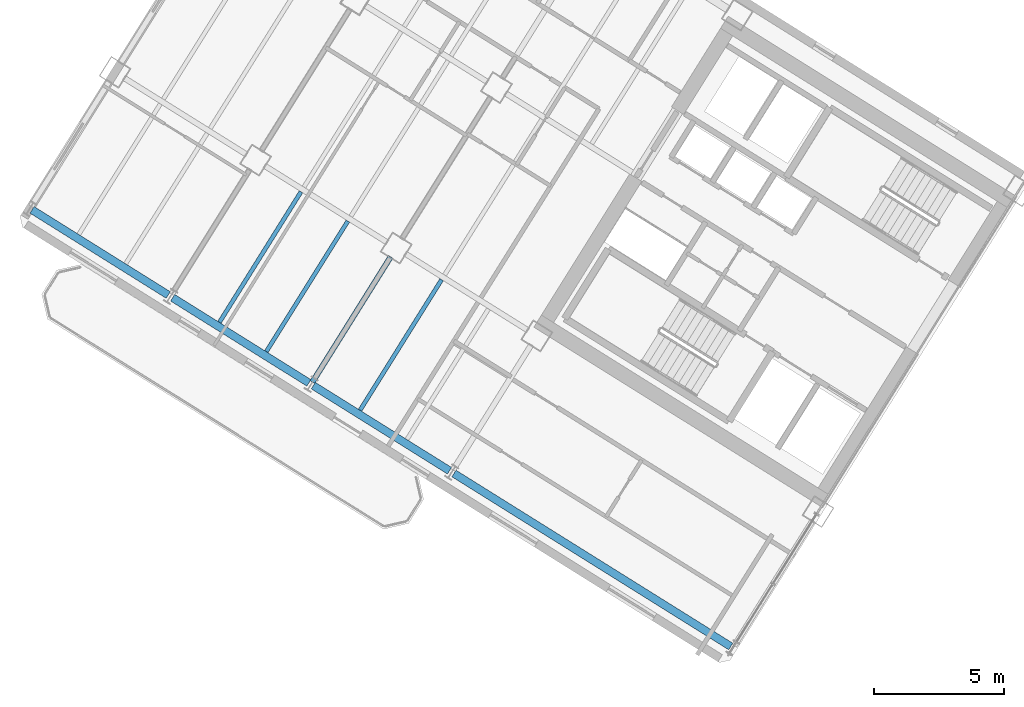
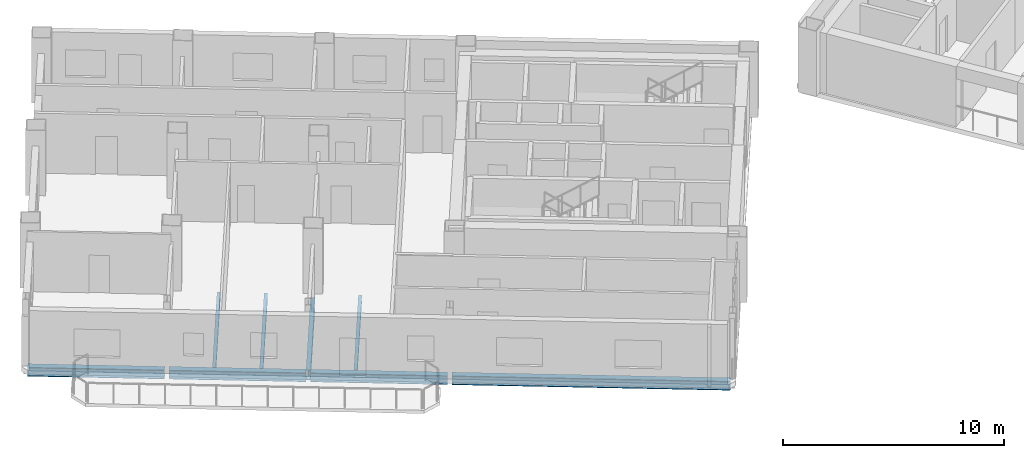
# One storey, part 5 of 18: 8 beams.
"""IFC4 building model written with IfcOpenShell, lengths in metres."""

from ifc_helpers import new_model, si_unit, direction, frame, origin, origin_2d, place, context, subcontext, project, spatial, i_section, extrude, source, transform, mapped, material, material_profile, profile_set, type_object, element, save


model = new_model("IFC4")

# Units and contexts
model_context = context("Model", 3, precision=1e-05, world=origin(), true_north=direction((0.0, 1.0)))
body_context = subcontext(model_context, "Body", "Model", "MODEL_VIEW")
ifc_project = project(units=[si_unit("LENGTHUNIT", "METRE"), si_unit("AREAUNIT", "SQUARE_METRE"), si_unit("VOLUMEUNIT", "CUBIC_METRE"), si_unit("PLANEANGLEUNIT", "RADIAN"), si_unit("MASSUNIT", "GRAM", prefix="KILO")], contexts=[model_context])

# Site, building, storey
site_placement = place(None, origin())
site = spatial("IfcSite", under=ifc_project, at=site_placement, CompositionType="ELEMENT")
building_placement = place(site_placement, origin())
building = spatial("IfcBuilding", under=site, at=building_placement, Name="Tlacorven Tower", CompositionType="ELEMENT")
storey_placement = place(building_placement, frame((0.0, 0.0, 132.60009765625)))
storey = spatial("IfcBuildingStorey", under=building, at=storey_placement, Name="L33", CompositionType="ELEMENT", Elevation=132.60009765625)

# Beams
ifc_material = material(Name="Steel S355J2", Category="steel")
ifc_material_profile_1 = material_profile(ifc_material, i_section(OverallWidth=0.300048828125, OverallDepth=0.489990234375, WebThickness=0.011962890625, FlangeThickness=0.02294921875, at=origin_2d()), Name="HEA 500")
ifc_profile_set_1 = profile_set([ifc_material_profile_1], Name="Steel S355J2")
beam_type_1 = type_object("IfcBeamType", Name="BM-SPN-500", PredefinedType="SPANDREL", material=ifc_profile_set_1)
shared_shape_1 = source(origin(), body_context, "Body", "SweptSolid", [
    extrude(i_section(OverallWidth=0.300048828125, OverallDepth=0.489990234375, WebThickness=0.011962890625, FlangeThickness=0.02294921875, at=origin_2d()), origin(), (0.0, 0.0, 1.0), 12.599853515625),
])
beam_1_placement = place(storey_placement, frame((29.67578125, 6.882080078125, -0.4951171875), z_axis=(-0.848045108756, 0.529924045043, 0.0), x_axis=(-0.529924045043, -0.848045108756, 0.0)))
element("IfcBeam", 1, at=beam_1_placement, inside=storey, type_object=beam_type_1, Name="L33 beam BM-L33-WL4-1", PredefinedType="SPANDREL", context=body_context, shape_type="MappedRepresentation", body=[
    mapped(shared_shape_1, transform((0.0, 0.0, 0.0), scale=1.0)),
])
shared_shape_2 = source(origin(), body_context, "Body", "SweptSolid", [
    extrude(i_section(OverallWidth=0.300048828125, OverallDepth=0.489990234375, WebThickness=0.011962890625, FlangeThickness=0.02294921875, at=origin_2d()), origin(), (0.0, 0.0, 1.0), 6.199951171875),
])
for number, where, z_axis, x_axis, name in (
    (2, (18.82080078125, 13.6650390625, -0.4951171875), (-0.848051394107, 0.529913986372, 0.0), (-0.529913986372, -0.848051394107, 0.0), "L33 beam BM-L33-WL4-3"),
    (3, (13.393310546875, 17.056396484375, -0.4951171875), (-0.848033697614, 0.529942306022, 0.0), (-0.529942306022, -0.848033697614, 0.0), "L33 beam BM-L33-WL4-4"),
    (4, (7.9658203125, 20.447998046875, -0.4951171875), (-0.848051394107, 0.529913986372, 0.0), (-0.529913986372, -0.848051394107, 0.0), "L33 beam BM-L33-WL4-5"),
):
    element("IfcBeam", number, at=place(storey_placement, frame(where, z_axis=z_axis, x_axis=x_axis)), inside=storey, type_object=beam_type_1, Name=name, PredefinedType="SPANDREL", context=body_context, shape_type="MappedRepresentation", body=[
        mapped(shared_shape_2, transform((0.0, 0.0, 0.0), scale=1.0)),
    ])
ifc_material_profile_2 = material_profile(ifc_material, i_section(OverallWidth=0.2099609375, OverallDepth=0.550048828125, WebThickness=0.010986328125, FlangeThickness=0.01708984375, at=origin_2d()), Name="IPE 550")
ifc_profile_set_2 = profile_set([ifc_material_profile_2], Name="Steel S355J2")
beam_type_2 = type_object("IfcBeamType", Name="BM-TWR-550", PredefinedType="BEAM", material=ifc_profile_set_2)
shared_shape_3 = source(origin(), body_context, "Body", "SweptSolid", [
    extrude(i_section(OverallWidth=0.2099609375, OverallDepth=0.550048828125, WebThickness=0.010986328125, FlangeThickness=0.01708984375, at=origin_2d()), origin(), (0.0, 0.0, 1.0), 5.7001953125),
])
beam_2_placement = place(storey_placement, frame((16.5517578125, 21.922119140625, -0.525146484375), z_axis=(-0.529937340199, -0.848036800771, 0.0), x_axis=(0.848036800771, -0.529937340199, 0.0)))
element("IfcBeam", 5, at=beam_2_placement, inside=storey, type_object=beam_type_2, Name="L33 beam BM-L33-WT4-3", PredefinedType="BEAM", context=body_context, shape_type="MappedRepresentation", body=[
    mapped(shared_shape_3, transform((0.0, 0.0, 0.0), scale=1.0)),
])
ifc_material_profile_3 = material_profile(ifc_material, i_section(OverallWidth=0.159912109375, OverallDepth=0.330078125, WebThickness=0.007568359375, FlangeThickness=0.011474609375, at=origin_2d()), Name="IPE 330")
ifc_profile_set_3 = profile_set([ifc_material_profile_3], Name="Steel S355J2")
beam_type_3 = type_object("IfcBeamType", Name="BM-JST-330", PredefinedType="JOIST", material=ifc_profile_set_3)
shared_shape_4 = source(origin(), body_context, "Body", "SweptSolid", [
    extrude(i_section(OverallWidth=0.159912109375, OverallDepth=0.330078125, WebThickness=0.007568359375, FlangeThickness=0.011474609375, at=origin_2d()), origin(), (0.0, 0.0, 1.0), 5.93505859375),
])
for number, where, z_axis, x_axis, name in (
    (6, (18.514404296875, 21.03759765625, -0.4150390625), (-0.529910194899, -0.848053763238, 0.0), (0.848053763238, -0.529910194899, 0.0), "L33 beam BM-L33-WJ3-3-2"),
    (7, (14.896240234375, 23.298583984375, -0.4150390625), (-0.529910194899, -0.848053763238, 0.0), (0.848053763238, -0.529910194899, 0.0), "L33 beam BM-L33-WJ4-3-1"),
):
    element("IfcBeam", number, at=place(storey_placement, frame(where, z_axis=z_axis, x_axis=x_axis)), inside=storey, type_object=beam_type_3, Name=name, PredefinedType="JOIST", context=body_context, shape_type="MappedRepresentation", body=[
        mapped(shared_shape_4, transform((0.0, 0.0, 0.0), scale=1.0)),
    ])
shared_shape_5 = source(origin(), body_context, "Body", "SweptSolid", [
    extrude(i_section(OverallWidth=0.159912109375, OverallDepth=0.330078125, WebThickness=0.007568359375, FlangeThickness=0.011474609375, at=origin_2d()), origin(), (0.0, 0.0, 1.0), 5.934814453125),
])
beam_3_placement = place(storey_placement, frame((13.0869140625, 24.428955078125, -0.4150390625), z_axis=(-0.52992868149, -0.848042211529, 0.0), x_axis=(0.848042211529, -0.52992868149, 0.0)))
element("IfcBeam", 8, at=beam_3_placement, inside=storey, type_object=beam_type_3, Name="L33 beam BM-L33-WJ4-3-2", PredefinedType="JOIST", context=body_context, shape_type="MappedRepresentation", body=[
    mapped(shared_shape_5, transform((0.0, 0.0, 0.0), scale=1.0)),
])

save(model, "model.ifc")
